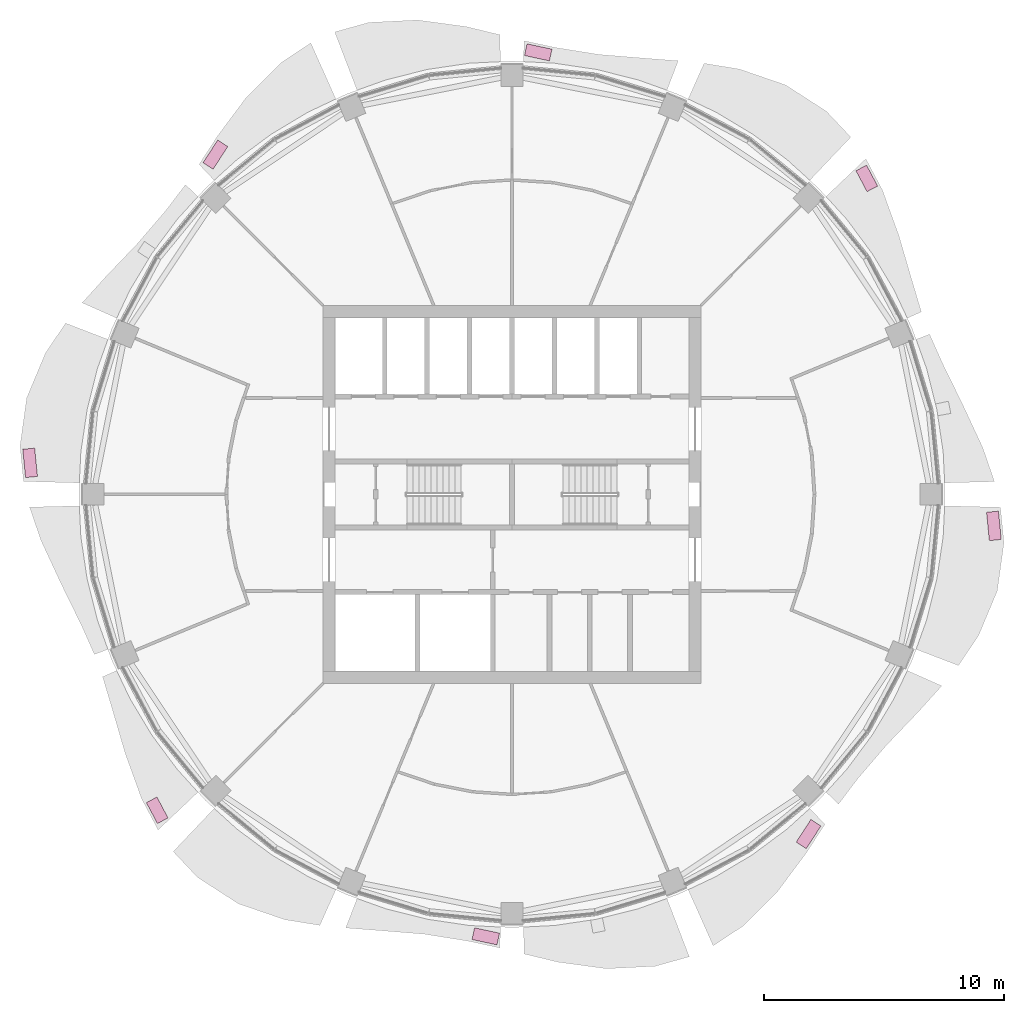
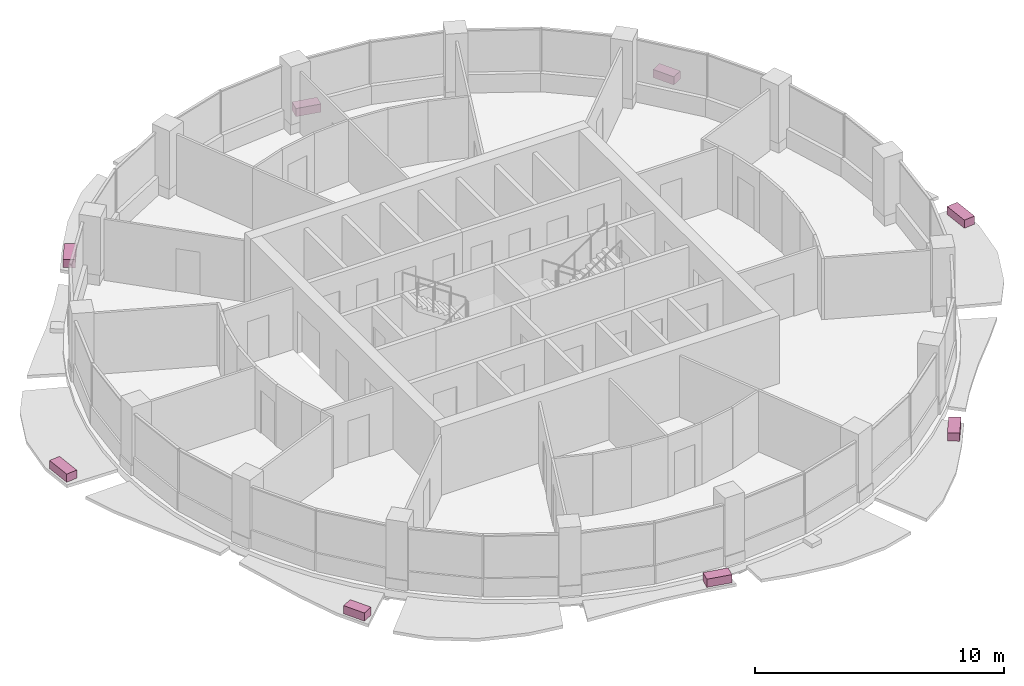
# One storey, part 15 of 15: 8 furniture elements.
"""IFC4 building model written with IfcOpenShell, lengths in metres."""

from ifc_helpers import new_model, si_unit, direction, frame, origin, origin_2d, place, context, subcontext, project, spatial, rectangle, extrude, material, type_object, element, save


model = new_model("IFC4")

# Units and contexts
model_context = context("Model", 3, precision=1e-05, world=origin(), true_north=direction((0.0, 1.0)))
body_context = subcontext(model_context, "Body", "Model", "MODEL_VIEW")
ifc_project = project(units=[si_unit("LENGTHUNIT", "METRE"), si_unit("AREAUNIT", "SQUARE_METRE"), si_unit("VOLUMEUNIT", "CUBIC_METRE"), si_unit("PLANEANGLEUNIT", "RADIAN"), si_unit("MASSUNIT", "GRAM", prefix="KILO")], contexts=[model_context])

# Site, building, storey
site_placement = place(None, origin())
site = spatial("IfcSite", under=ifc_project, at=site_placement, CompositionType="ELEMENT")
building_placement = place(site_placement, origin())
building = spatial("IfcBuilding", under=site, at=building_placement, Name="Polderwave Tower", CompositionType="ELEMENT")
storey_placement = place(building_placement, frame((0.0, 0.0, 187.64990234375)))
storey = spatial("IfcBuildingStorey", under=building, at=storey_placement, Name="L50", CompositionType="ELEMENT", Elevation=187.64990234375)

# Furniture
ifc_material = material(Name="Terracotta", Category="masonry")
furniture_type = type_object("IfcFurnitureType", Name="Terracotta planting trough", AssemblyPlace="NOTDEFINED", PredefinedType="USERDEFINED", material=ifc_material)
furniture_1_placement = place(storey_placement, frame((14.781494140625, 13.162841796875, -0.199951171875), z_axis=(0.0, 0.0, 1.0), x_axis=(-0.467467011537, 0.884010516411, 0.0)))
element("IfcFurniture", 1, at=furniture_1_placement, inside=storey, type_object=furniture_type, Name="Planting trough L50 2", ObjectType="PLANTER", PredefinedType="USERDEFINED", context=body_context, shape_type="SweptSolid", body=[
    extrude(rectangle(XDim=0.98583984375, YDim=0.5, at=origin_2d()), origin(), (0.0, 0.0, 1.0), 0.39990234375),
])
furniture_2_placement = place(storey_placement, frame((1.09326171875, 18.414306640625, -0.199951171875), z_axis=(0.0, 0.0, 1.0), x_axis=(-0.977645465342, 0.210260181907, 0.0)))
element("IfcFurniture", 2, at=furniture_2_placement, inside=storey, type_object=furniture_type, Name="Planting trough L50 4", ObjectType="PLANTER", PredefinedType="USERDEFINED", context=body_context, shape_type="SweptSolid", body=[
    extrude(rectangle(XDim=1.0634765625, YDim=0.5, at=origin_2d()), origin(), (0.0, 0.0, 1.0), 0.39990234375),
])
furniture_3_placement = place(storey_placement, frame((-12.356201171875, 14.1533203125, -0.199951171875), z_axis=(0.0, 0.0, 1.0), x_axis=(-0.544498506768, -0.838761811319, 0.0)))
element("IfcFurniture", 3, at=furniture_3_placement, inside=storey, type_object=furniture_type, Name="Planting trough L50 6", ObjectType="PLANTER", PredefinedType="USERDEFINED", context=body_context, shape_type="SweptSolid", body=[
    extrude(rectangle(XDim=1.12451171875, YDim=0.5, at=origin_2d()), origin(), (0.0, 0.0, 1.0), 0.39990234375),
])
furniture_4_placement = place(storey_placement, frame((-20.07666015625, 1.31298828125, -0.199951171875), z_axis=(0.0, 0.0, 1.0), x_axis=(0.097789600593, -0.995207111116, 0.0)))
element("IfcFurniture", 4, at=furniture_4_placement, inside=storey, type_object=furniture_type, Name="Planting trough L50 8", ObjectType="PLANTER", PredefinedType="USERDEFINED", context=body_context, shape_type="SweptSolid", body=[
    extrude(rectangle(XDim=1.187255859375, YDim=0.5, at=origin_2d()), origin(), (0.0, 0.0, 1.0), 0.39990234375),
])
furniture_5_placement = place(storey_placement, frame((-14.781494140625, -13.162841796875, -0.199951171875), z_axis=(0.0, 0.0, 1.0), x_axis=(0.467467011537, -0.884010516411, 0.0)))
element("IfcFurniture", 5, at=furniture_5_placement, inside=storey, type_object=furniture_type, Name="Planting trough L50 10", ObjectType="PLANTER", PredefinedType="USERDEFINED", context=body_context, shape_type="SweptSolid", body=[
    extrude(rectangle(XDim=0.98583984375, YDim=0.5, at=origin_2d()), origin(), (0.0, 0.0, 1.0), 0.39990234375),
])
furniture_6_placement = place(storey_placement, frame((-1.09326171875, -18.414306640625, -0.199951171875), z_axis=(0.0, 0.0, 1.0), x_axis=(0.977645465342, -0.210260181907, 0.0)))
element("IfcFurniture", 6, at=furniture_6_placement, inside=storey, type_object=furniture_type, Name="Planting trough L50 12", ObjectType="PLANTER", PredefinedType="USERDEFINED", context=body_context, shape_type="SweptSolid", body=[
    extrude(rectangle(XDim=1.0634765625, YDim=0.5, at=origin_2d()), origin(), (0.0, 0.0, 1.0), 0.39990234375),
])
furniture_7_placement = place(storey_placement, frame((12.356201171875, -14.1533203125, -0.199951171875), z_axis=(0.0, 0.0, 1.0), x_axis=(0.544498506768, 0.838761811319, 0.0)))
element("IfcFurniture", 7, at=furniture_7_placement, inside=storey, type_object=furniture_type, Name="Planting trough L50 14", ObjectType="PLANTER", PredefinedType="USERDEFINED", context=body_context, shape_type="SweptSolid", body=[
    extrude(rectangle(XDim=1.12451171875, YDim=0.5, at=origin_2d()), origin(), (0.0, 0.0, 1.0), 0.39990234375),
])
furniture_8_placement = place(storey_placement, frame((20.07666015625, -1.31298828125, -0.199951171875), z_axis=(0.0, 0.0, 1.0), x_axis=(-0.097789600593, 0.995207111116, 0.0)))
element("IfcFurniture", 8, at=furniture_8_placement, inside=storey, type_object=furniture_type, Name="Planting trough L50 16", ObjectType="PLANTER", PredefinedType="USERDEFINED", context=body_context, shape_type="SweptSolid", body=[
    extrude(rectangle(XDim=1.187255859375, YDim=0.5, at=origin_2d()), origin(), (0.0, 0.0, 1.0), 0.39990234375),
])

save(model, "model.ifc")
